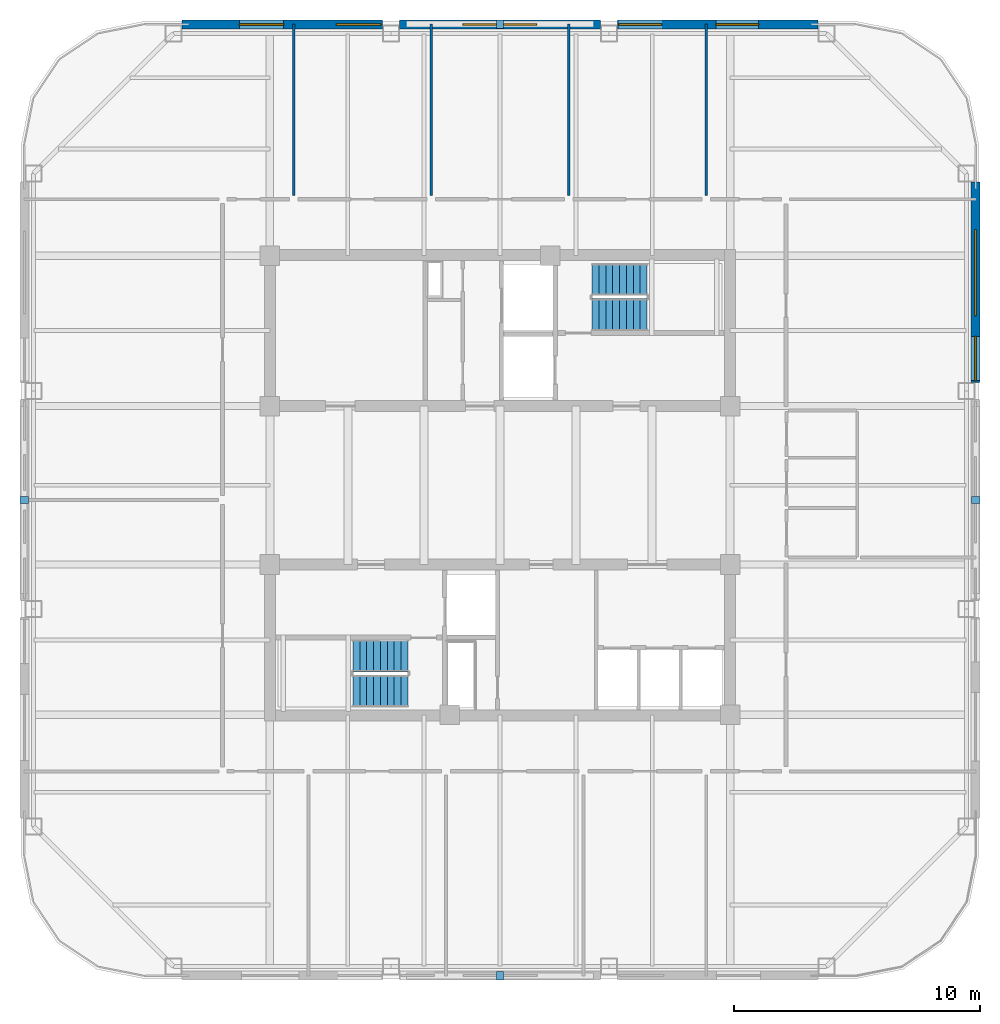
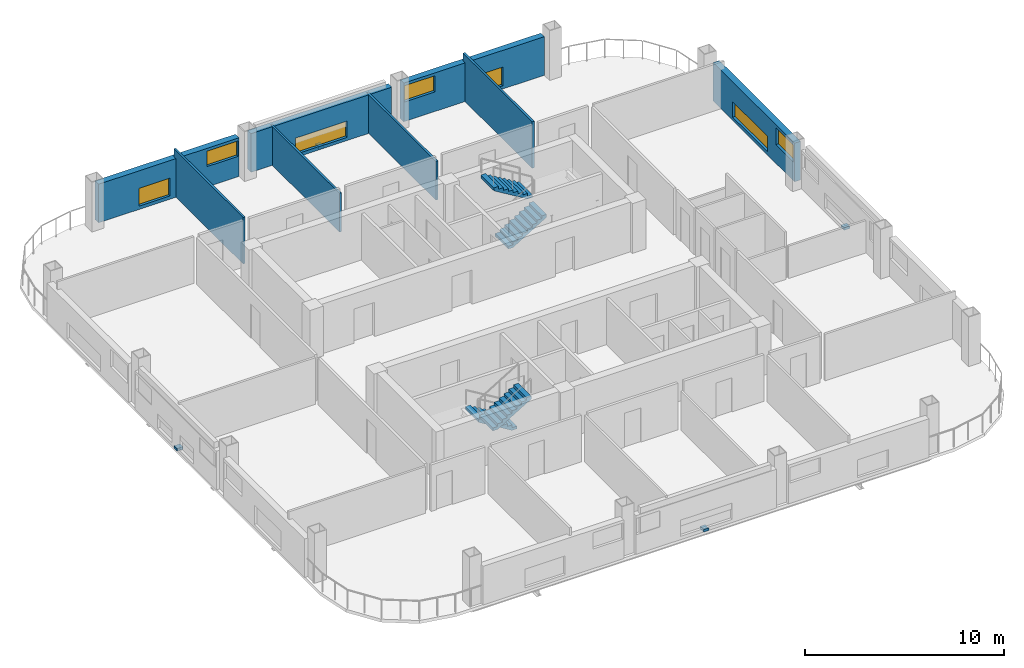
# One storey, part 5 of 8: 8 walls, 7 windows, 4 discrete accessories, 4 stair flights, 7 openings, 2 elements without a shape of their own.
"""IFC4 building model written with IfcOpenShell, lengths in metres."""

from ifc_helpers import new_model, si_unit, direction, frame, frame_2d, origin, origin_2d, place, context, subcontext, project, spatial, polyline, rectangle, outline, extrude, material, layer, layer_set, type_object, element, fill, aggregate, save


model = new_model("IFC4")

# Units and contexts
model_context = context("Model", 3, precision=1e-05, world=origin(), true_north=direction((0.0, 1.0)))
body_context = subcontext(model_context, "Body", "Model", "MODEL_VIEW")
ifc_project = project(units=[si_unit("LENGTHUNIT", "METRE"), si_unit("AREAUNIT", "SQUARE_METRE"), si_unit("VOLUMEUNIT", "CUBIC_METRE"), si_unit("PLANEANGLEUNIT", "RADIAN"), si_unit("MASSUNIT", "GRAM", prefix="KILO")], contexts=[model_context])

# Site, building, storey
site_placement = place(None, origin())
site = spatial("IfcSite", under=ifc_project, at=site_placement, CompositionType="ELEMENT")
building_placement = place(site_placement, origin())
building = spatial("IfcBuilding", under=site, at=building_placement, Name="Qhalaya Broadcast Tower", CompositionType="ELEMENT")
storey_placement = place(building_placement, frame((0.0, 0.0, 214.75)))
storey = spatial("IfcBuildingStorey", under=building, at=storey_placement, Name="L63", CompositionType="ELEMENT", Elevation=214.75)

# Wall, openings, windows
ifc_material_1 = material(Name="Precast Concrete C40/50", Category="concrete")
ifc_layer_1 = layer(ifc_material_1, 0.360107421875, Name="Precast Concrete C40/50")
ifc_layer_set_1 = layer_set([ifc_layer_1], Name="Precast Concrete C40/50")
wall_type_1 = type_object("IfcWallType", Name="Insulated Precast Terracotta Exterior Wall 360", PredefinedType="SOLIDWALL", material=ifc_layer_set_1)
wall_1_placement = place(storey_placement, frame((19.360107421875, 12.9619140625, 0.0), z_axis=(0.0, 0.0, 1.0), x_axis=(0.0, -1.0, 0.0)))
wall_1 = element("IfcWall", 1, at=wall_1_placement, inside=storey, type_object=wall_type_1, Name="L63 Exoskeleton Diagrid Infill Wall E1", PredefinedType="SOLIDWALL", context=body_context, shape_type="SweptSolid", body=[
    extrude(rectangle(XDim=8.1787109375, YDim=0.360107421875, at=frame_2d((4.08935546875, 0.0))), origin(), (0.0, 0.0, 1.0), 2.3740234375),
])
opening_1_placement = place(wall_1_placement, frame((1.949951171875, 0.0, 0.199951171875)))
opening_1 = element("IfcOpeningElement", 2, at=opening_1_placement, cuts=wall_1, Name="Opening W13", PredefinedType="OPENING", context=body_context, shape_type="SweptSolid", body=[
    extrude(rectangle(XDim=3.5, YDim=0.949951171875, at=frame_2d((1.75, 0.47509765625))), frame((0.0, 0.192138671875, 0.0), z_axis=(0.0, -1.0, 0.0), x_axis=(1.0, 0.0, 0.0)), (0.0, 0.0, 1.0), 0.384033203125),
])
opening_2_placement = place(wall_1_placement, frame((6.300048828125, 0.0, 1.14990234375)))
opening_2 = element("IfcOpeningElement", 3, at=opening_2_placement, cuts=wall_1, Name="Opening W13", PredefinedType="OPENING", context=body_context, shape_type="SweptSolid", body=[
    extrude(rectangle(XDim=1.800048828125, YDim=1.050048828125, at=frame_2d((0.89990234375, 0.52490234375))), frame((0.0, 0.192138671875, 0.0), z_axis=(0.0, -1.0, 0.0), x_axis=(1.0, 0.0, 0.0)), (0.0, 0.0, 1.0), 0.384033203125),
])
ifc_material_2 = material(Name="Solar-Control Low-E Triple Glazing", Category="glass")
window_type = type_object("IfcWindowType", Name="Upper-Block Diagrid Infill Window W13", PartitioningType="SINGLE_PANEL", PredefinedType="WINDOW", material=ifc_material_2)
window_1_placement = place(opening_1_placement, origin())
window_1 = element("IfcWindow", 4, at=window_1_placement, inside=storey, type_object=window_type, Name="L63 Diagrid Infill Window W13-E1", OverallHeight=0.949951171875, OverallWidth=3.5, PartitioningType="SINGLE_PANEL", PredefinedType="WINDOW", context=body_context, shape_type="SweptSolid", body=[
    extrude(rectangle(XDim=3.5, YDim=0.949951171875, at=frame_2d((1.75, 0.47509765625))), frame((0.0, 0.030029296875, 0.0), z_axis=(0.0, -1.0, 0.0), x_axis=(1.0, 0.0, 0.0)), (0.0, 0.0, 1.0), 0.06005859375),
])
fill(opening_1, window_1)
window_2_placement = place(opening_2_placement, origin())
window_2 = element("IfcWindow", 5, at=window_2_placement, inside=storey, type_object=window_type, Name="L63 Diagrid Infill Window W13-E2", OverallHeight=1.050048828125, OverallWidth=1.800048828125, PartitioningType="SINGLE_PANEL", PredefinedType="WINDOW", context=body_context, shape_type="SweptSolid", body=[
    extrude(rectangle(XDim=1.800048828125, YDim=1.050048828125, at=frame_2d((0.89990234375, 0.52490234375))), frame((0.0, 0.030029296875, 0.0), z_axis=(0.0, -1.0, 0.0), x_axis=(1.0, 0.0, 0.0)), (0.0, 0.0, 1.0), 0.06005859375),
])
fill(opening_2, window_2)

wall_2_placement = place(storey_placement, frame((-12.9619140625, 19.360107421875, 0.0), z_axis=(0.0, 0.0, 1.0), x_axis=(1.0, 0.0, 0.0)))
wall_2 = element("IfcWall", 6, at=wall_2_placement, inside=storey, type_object=wall_type_1, Name="L63 Exoskeleton Diagrid Infill Wall N1", PredefinedType="SOLIDWALL", context=body_context, shape_type="SweptSolid", body=[
    extrude(rectangle(XDim=8.1787109375, YDim=0.360107421875, at=frame_2d((4.08935546875, 0.0))), origin(), (0.0, 0.0, 1.0), 2.3740234375),
])
opening_3_placement = place(wall_2_placement, frame((2.35009765625, 0.0, 0.199951171875)))
opening_3 = element("IfcOpeningElement", 7, at=opening_3_placement, cuts=wall_2, Name="Opening W13", PredefinedType="OPENING", context=body_context, shape_type="SweptSolid", body=[
    extrude(rectangle(XDim=1.800048828125, YDim=1.10009765625, at=frame_2d((0.89990234375, 0.550048828125))), frame((0.0, 0.192138671875, 0.0), z_axis=(0.0, -1.0, 0.0), x_axis=(1.0, 0.0, 0.0)), (0.0, 0.0, 1.0), 0.384033203125),
])
opening_4_placement = place(wall_2_placement, frame((6.300048828125, 0.0, 1.25)))
opening_4 = element("IfcOpeningElement", 8, at=opening_4_placement, cuts=wall_2, Name="Opening W13", PredefinedType="OPENING", context=body_context, shape_type="SweptSolid", body=[
    extrude(rectangle(XDim=1.800048828125, YDim=0.949951171875, at=frame_2d((0.89990234375, 0.47509765625))), frame((0.0, 0.192138671875, 0.0), z_axis=(0.0, -1.0, 0.0), x_axis=(1.0, 0.0, 0.0)), (0.0, 0.0, 1.0), 0.384033203125),
])
window_3_placement = place(opening_3_placement, origin())
window_3 = element("IfcWindow", 9, at=window_3_placement, inside=storey, type_object=window_type, Name="L63 Diagrid Infill Window W13-N1", OverallHeight=1.10009765625, OverallWidth=1.800048828125, PartitioningType="SINGLE_PANEL", PredefinedType="WINDOW", context=body_context, shape_type="SweptSolid", body=[
    extrude(rectangle(XDim=1.800048828125, YDim=1.10009765625, at=frame_2d((0.89990234375, 0.550048828125))), frame((0.0, 0.030029296875, 0.0), z_axis=(0.0, -1.0, 0.0), x_axis=(1.0, 0.0, 0.0)), (0.0, 0.0, 1.0), 0.06005859375),
])
fill(opening_3, window_3)
window_4_placement = place(opening_4_placement, origin())
window_4 = element("IfcWindow", 10, at=window_4_placement, inside=storey, type_object=window_type, Name="L63 Diagrid Infill Window W13-N2", OverallHeight=0.949951171875, OverallWidth=1.800048828125, PartitioningType="SINGLE_PANEL", PredefinedType="WINDOW", context=body_context, shape_type="SweptSolid", body=[
    extrude(rectangle(XDim=1.800048828125, YDim=0.949951171875, at=frame_2d((0.89990234375, 0.47509765625))), frame((0.0, 0.030029296875, 0.0), z_axis=(0.0, -1.0, 0.0), x_axis=(1.0, 0.0, 0.0)), (0.0, 0.0, 1.0), 0.06005859375),
])
fill(opening_4, window_4)

# Wall, opening, window
wall_3_placement = place(storey_placement, frame((-4.083251953125, 19.360107421875, 0.0), z_axis=(0.0, 0.0, 1.0), x_axis=(1.0, 0.0, 0.0)))
wall_3 = element("IfcWall", 11, at=wall_3_placement, inside=storey, type_object=wall_type_1, Name="L63 Exoskeleton Diagrid Infill Wall N2", PredefinedType="SOLIDWALL", context=body_context, shape_type="SweptSolid", body=[
    extrude(rectangle(XDim=8.16650390625, YDim=0.360107421875, at=frame_2d((4.083251953125, 0.0))), origin(), (0.0, 0.0, 1.0), 2.3740234375),
])
opening_5_placement = place(wall_3_placement, frame((2.571044921875, 0.0, 0.199951171875)))
opening_5 = element("IfcOpeningElement", 12, at=opening_5_placement, cuts=wall_3, Name="Opening W13", PredefinedType="OPENING", context=body_context, shape_type="SweptSolid", body=[
    extrude(rectangle(XDim=3.0, YDim=1.0, at=frame_2d((1.5, 0.5))), frame((0.0, 0.192138671875, 0.0), z_axis=(0.0, -1.0, 0.0), x_axis=(1.0, 0.0, 0.0)), (0.0, 0.0, 1.0), 0.384033203125),
])
window_5_placement = place(opening_5_placement, origin())
window_5 = element("IfcWindow", 13, at=window_5_placement, inside=storey, type_object=window_type, Name="L63 Diagrid Infill Window W13-N3", OverallHeight=1.0, OverallWidth=3.0, PartitioningType="SINGLE_PANEL", PredefinedType="WINDOW", context=body_context, shape_type="SweptSolid", body=[
    extrude(rectangle(XDim=3.0, YDim=1.0, at=frame_2d((1.5, 0.5))), frame((0.0, 0.030029296875, 0.0), z_axis=(0.0, -1.0, 0.0), x_axis=(1.0, 0.0, 0.0)), (0.0, 0.0, 1.0), 0.06005859375),
])
fill(opening_5, window_5)

# Wall, openings, windows
wall_4_placement = place(storey_placement, frame((4.783203125, 19.360107421875, 0.0), z_axis=(0.0, 0.0, 1.0), x_axis=(1.0, 0.0, 0.0)))
wall_4 = element("IfcWall", 14, at=wall_4_placement, inside=storey, type_object=wall_type_1, Name="L63 Exoskeleton Diagrid Infill Wall N3", PredefinedType="SOLIDWALL", context=body_context, shape_type="SweptSolid", body=[
    extrude(rectangle(XDim=8.1787109375, YDim=0.360107421875, at=frame_2d((4.08935546875, 0.0))), origin(), (0.0, 0.0, 1.0), 2.3740234375),
])
opening_6_placement = place(wall_4_placement, frame((0.054931640625, 0.0, 1.199951171875)))
opening_6 = element("IfcOpeningElement", 15, at=opening_6_placement, cuts=wall_4, Name="Opening W13", PredefinedType="OPENING", context=body_context, shape_type="SweptSolid", body=[
    extrude(rectangle(XDim=1.75, YDim=1.0, at=frame_2d((0.875, 0.5))), frame((0.0, 0.192138671875, 0.0), z_axis=(0.0, -1.0, 0.0), x_axis=(1.0, 0.0, 0.0)), (0.0, 0.0, 1.0), 0.384033203125),
])
opening_7_placement = place(wall_4_placement, frame((4.0048828125, 0.0, 0.199951171875)))
opening_7 = element("IfcOpeningElement", 16, at=opening_7_placement, cuts=wall_4, Name="Opening W13", PredefinedType="OPENING", context=body_context, shape_type="SweptSolid", body=[
    extrude(rectangle(XDim=1.75, YDim=1.14990234375, at=frame_2d((0.875, 0.574951171875))), frame((0.0, 0.192138671875, 0.0), z_axis=(0.0, -1.0, 0.0), x_axis=(1.0, 0.0, 0.0)), (0.0, 0.0, 1.0), 0.384033203125),
])
window_6_placement = place(opening_6_placement, origin())
window_6 = element("IfcWindow", 17, at=window_6_placement, inside=storey, type_object=window_type, Name="L63 Diagrid Infill Window W13-N4", OverallHeight=1.0, OverallWidth=1.75, PartitioningType="SINGLE_PANEL", PredefinedType="WINDOW", context=body_context, shape_type="SweptSolid", body=[
    extrude(rectangle(XDim=1.75, YDim=1.0, at=frame_2d((0.875, 0.5))), frame((0.0, 0.030029296875, 0.0), z_axis=(0.0, -1.0, 0.0), x_axis=(1.0, 0.0, 0.0)), (0.0, 0.0, 1.0), 0.06005859375),
])
fill(opening_6, window_6)
window_7_placement = place(opening_7_placement, origin())
window_7 = element("IfcWindow", 18, at=window_7_placement, inside=storey, type_object=window_type, Name="L63 Diagrid Infill Window W13-N5", OverallHeight=1.14990234375, OverallWidth=1.75, PartitioningType="SINGLE_PANEL", PredefinedType="WINDOW", context=body_context, shape_type="SweptSolid", body=[
    extrude(rectangle(XDim=1.75, YDim=1.14990234375, at=frame_2d((0.875, 0.574951171875))), frame((0.0, 0.030029296875, 0.0), z_axis=(0.0, -1.0, 0.0), x_axis=(1.0, 0.0, 0.0)), (0.0, 0.0, 1.0), 0.06005859375),
])
fill(opening_7, window_7)

# Walls
ifc_material_3 = material(Name="Gypsum Acoustic Partition")
ifc_layer_2 = layer(ifc_material_3, 0.1201171875, Name="Gypsum Acoustic Partition")
ifc_layer_set_2 = layer_set([ifc_layer_2], Name="Gypsum Acoustic Partition")
wall_type_2 = type_object("IfcWallType", Name="Office, Booth & Sanitary Partition 120", PredefinedType="PARTITIONING", material=ifc_layer_set_2)
wall_5_placement = place(storey_placement, frame((-8.39990234375, 12.409912109375, 0.0), z_axis=(0.0, 0.0, 1.0), x_axis=(0.0, 1.0, 0.0)))
element("IfcWall", 19, at=wall_5_placement, inside=storey, type_object=wall_type_2, Name="L63 Partition Wall W-DIVN1", PredefinedType="PARTITIONING", context=body_context, shape_type="SweptSolid", body=[
    extrude(rectangle(XDim=6.969970703125, YDim=0.1201171875, at=frame_2d((3.48486328125, 0.0))), origin(), (0.0, 0.0, 1.0), 2.860107421875),
])
for number, where, z_axis, x_axis, name in (
    (20, (-2.800048828125, 12.409912109375, 0.0), (0.0, 0.0, 1.0), (0.0, 1.0, 0.0), "L63 Partition Wall W-DIVN2"),
    (21, (2.800048828125, 12.409912109375, 0.0), (0.0, 0.0, 1.0), (0.0, 1.0, 0.0), "L63 Partition Wall W-DIVN3"),
):
    element("IfcWall", number, at=place(storey_placement, frame(where, z_axis=z_axis, x_axis=x_axis)), inside=storey, type_object=wall_type_2, Name=name, PredefinedType="PARTITIONING", context=body_context, shape_type="SweptSolid", body=[
        extrude(rectangle(XDim=6.969970703125, YDim=0.1201171875, at=frame_2d((3.48486328125, 0.0))), origin(), (0.0, 0.0, 1.0), 2.381103515625),
    ])
wall_6_placement = place(storey_placement, frame((8.39990234375, 12.409912109375, 0.0), z_axis=(0.0, 0.0, 1.0), x_axis=(0.0, 1.0, 0.0)))
element("IfcWall", 22, at=wall_6_placement, inside=storey, type_object=wall_type_2, Name="L63 Partition Wall W-DIVN4", PredefinedType="PARTITIONING", context=body_context, shape_type="SweptSolid", body=[
    extrude(rectangle(XDim=6.969970703125, YDim=0.1201171875, at=frame_2d((3.48486328125, 0.0))), origin(), (0.0, 0.0, 1.0), 2.860107421875),
])

# Stair, stair flights
ifc_material_4 = material(Name="Concrete C40/50", Category="concrete")
stair_type = type_object("IfcStairType", Name="Protected Dogleg Core Stair 3150", PredefinedType="TWO_STRAIGHT_RUN_STAIR", material=ifc_material_4)
stair_1_placement = place(storey_placement, origin())
stair_1 = element("IfcStair", 23, at=stair_1_placement, inside=storey, type_object=stair_type, Name="L63 North Core Exit Stair ST-1", PredefinedType="TWO_STRAIGHT_RUN_STAIR")
stair_flight_type = type_object("IfcStairFlightType", Name="Precast Concrete Stair Flight 3150", PredefinedType="STRAIGHT", material=ifc_material_1)
stair_flight_1_placement = place(storey_placement, frame((3.75, 7.5400390625, 0.0), z_axis=(0.0, 0.0, 1.0), x_axis=(1.0, 0.0, 0.0)))
stair_flight_1 = element("IfcStairFlight", 24, at=stair_flight_1_placement, type_object=stair_flight_type, Name="ST-1 flight 1", NumberOfRisers=9, NumberOfTreads=8, PredefinedType="STRAIGHT", RiserHeight=0.169444444, TreadLength=0.28, context=body_context, shape_type="SweptSolid", body=[
    extrude(outline(polyline([(0.0, 0.0), (0.0, 0.16943359375), (0.280029296875, 0.16943359375), (0.280029296875, 0.3388671875), (0.56005859375, 0.3388671875), (0.56005859375, 0.50830078125), (0.840087890625, 0.50830078125), (0.840087890625, 0.677734375), (1.1201171875, 0.677734375), (1.1201171875, 0.84716796875), (1.39990234375, 0.84716796875), (1.39990234375, 1.0166015625), (1.679931640625, 1.0166015625), (1.679931640625, 1.18603515625), (1.9599609375, 1.18603515625), (1.9599609375, 1.35546875), (2.239990234375, 1.35546875), (2.239990234375, 1.52490234375), (2.239990234375, 1.180419921875), (0.28955078125, 0.0), (0.0, 0.0)])), frame((0.0, 0.66015625, 0.0), z_axis=(0.0, -1.0, 0.0), x_axis=(1.0, 0.0, 0.0)), (0.0, 0.0, 1.0), 1.320068359375),
])
stair_flight_2_placement = place(storey_placement, frame((5.989990234375, 8.97998046875, 1.52490234375), z_axis=(0.0, 0.0, 1.0), x_axis=(-1.0, 0.0, 0.0)))
stair_flight_2 = element("IfcStairFlight", 25, at=stair_flight_2_placement, type_object=stair_flight_type, Name="ST-1 flight 2", NumberOfRisers=9, NumberOfTreads=8, PredefinedType="STRAIGHT", RiserHeight=0.169444444, TreadLength=0.28, context=body_context, shape_type="SweptSolid", body=[
    extrude(outline(polyline([(0.0, 0.0), (0.0, 0.16943359375), (0.280029296875, 0.16943359375), (0.280029296875, 0.3388671875), (0.56005859375, 0.3388671875), (0.56005859375, 0.50830078125), (0.840087890625, 0.50830078125), (0.840087890625, 0.677734375), (1.1201171875, 0.677734375), (1.1201171875, 0.84716796875), (1.39990234375, 0.84716796875), (1.39990234375, 1.0166015625), (1.679931640625, 1.0166015625), (1.679931640625, 1.18603515625), (1.9599609375, 1.18603515625), (1.9599609375, 1.35546875), (2.239990234375, 1.35546875), (2.239990234375, 1.52490234375), (2.239990234375, 1.180419921875), (0.28955078125, 0.0), (0.0, 0.0)])), frame((0.0, 0.66015625, 0.0), z_axis=(0.0, -1.0, 0.0), x_axis=(1.0, 0.0, 0.0)), (0.0, 0.0, 1.0), 1.320068359375),
])
aggregate(stair_1, [stair_flight_1, stair_flight_2])

stair_2_placement = place(storey_placement, origin())
stair_2 = element("IfcStair", 26, at=stair_2_placement, inside=storey, type_object=stair_type, Name="L63 South Core Exit Stair ST-2", PredefinedType="TWO_STRAIGHT_RUN_STAIR")
stair_flight_3_placement = place(storey_placement, frame((-3.75, -6.340087890625, 0.0), z_axis=(0.0, 0.0, 1.0), x_axis=(-1.0, 0.0, 0.0)))
stair_flight_3 = element("IfcStairFlight", 27, at=stair_flight_3_placement, type_object=stair_flight_type, Name="ST-2 flight 1", NumberOfRisers=9, NumberOfTreads=8, PredefinedType="STRAIGHT", RiserHeight=0.169444444, TreadLength=0.28, context=body_context, shape_type="SweptSolid", body=[
    extrude(outline(polyline([(0.0, 0.0), (0.0, 0.16943359375), (0.280029296875, 0.16943359375), (0.280029296875, 0.3388671875), (0.56005859375, 0.3388671875), (0.56005859375, 0.50830078125), (0.840087890625, 0.50830078125), (0.840087890625, 0.677734375), (1.1201171875, 0.677734375), (1.1201171875, 0.84716796875), (1.39990234375, 0.84716796875), (1.39990234375, 1.0166015625), (1.679931640625, 1.0166015625), (1.679931640625, 1.18603515625), (1.9599609375, 1.18603515625), (1.9599609375, 1.35546875), (2.239990234375, 1.35546875), (2.239990234375, 1.52490234375), (2.239990234375, 1.180419921875), (0.28955078125, 0.0), (0.0, 0.0)])), frame((0.0, 0.66015625, 0.0), z_axis=(0.0, -1.0, 0.0), x_axis=(1.0, 0.0, 0.0)), (0.0, 0.0, 1.0), 1.320068359375),
])
stair_flight_4_placement = place(storey_placement, frame((-5.989990234375, -7.780029296875, 1.52490234375), z_axis=(0.0, 0.0, 1.0), x_axis=(1.0, 0.0, 0.0)))
stair_flight_4 = element("IfcStairFlight", 28, at=stair_flight_4_placement, type_object=stair_flight_type, Name="ST-2 flight 2", NumberOfRisers=9, NumberOfTreads=8, PredefinedType="STRAIGHT", RiserHeight=0.169444444, TreadLength=0.28, context=body_context, shape_type="SweptSolid", body=[
    extrude(outline(polyline([(0.0, 0.0), (0.0, 0.16943359375), (0.280029296875, 0.16943359375), (0.280029296875, 0.3388671875), (0.56005859375, 0.3388671875), (0.56005859375, 0.50830078125), (0.840087890625, 0.50830078125), (0.840087890625, 0.677734375), (1.1201171875, 0.677734375), (1.1201171875, 0.84716796875), (1.39990234375, 0.84716796875), (1.39990234375, 1.0166015625), (1.679931640625, 1.0166015625), (1.679931640625, 1.18603515625), (1.9599609375, 1.18603515625), (1.9599609375, 1.35546875), (2.239990234375, 1.35546875), (2.239990234375, 1.52490234375), (2.239990234375, 1.180419921875), (0.28955078125, 0.0), (0.0, 0.0)])), frame((0.0, 0.66015625, 0.0), z_axis=(0.0, -1.0, 0.0), x_axis=(1.0, 0.0, 0.0)), (0.0, 0.0, 1.0), 1.320068359375),
])
aggregate(stair_2, [stair_flight_3, stair_flight_4])

# Discrete accessories
ifc_material_5 = material(Name="Structural Steel ASTM A572 Grade 50", Category="steel")
discrete_accessory_type = type_object("IfcDiscreteAccessoryType", Name="Facade Baguette Support Bracket BRK-01", PredefinedType="BRACKET", material=ifc_material_5)
for number, where, z_axis, x_axis, name in (
    (29, (0.0, -19.3798828125, 0.0), (0.0, 0.0, 1.0), (1.0, 0.0, 0.0), "L63 Baguette Support Bracket S"),
    (30, (19.3798828125, 0.0, 0.0), (0.0, 0.0, 1.0), (0.0, 1.0, 0.0), "L63 Baguette Support Bracket E"),
    (31, (0.0, 19.3798828125, 0.0), (0.0, 0.0, 1.0), (-1.0, 0.0, 0.0), "L63 Baguette Support Bracket N"),
    (32, (-19.3798828125, 0.0, 0.0), (0.0, 0.0, 1.0), (0.0, -1.0, 0.0), "L63 Baguette Support Bracket W"),
):
    element("IfcDiscreteAccessory", number, at=place(storey_placement, frame(where, z_axis=z_axis, x_axis=x_axis)), inside=storey, type_object=discrete_accessory_type, Name=name, PredefinedType="BRACKET", context=body_context, shape_type="SweptSolid", body=[
        extrude(rectangle(XDim=0.300048828125, YDim=0.340087890625, at=origin_2d()), origin(), (0.0, 0.0, 1.0), 0.159912109375),
    ])

save(model, "model.ifc")
